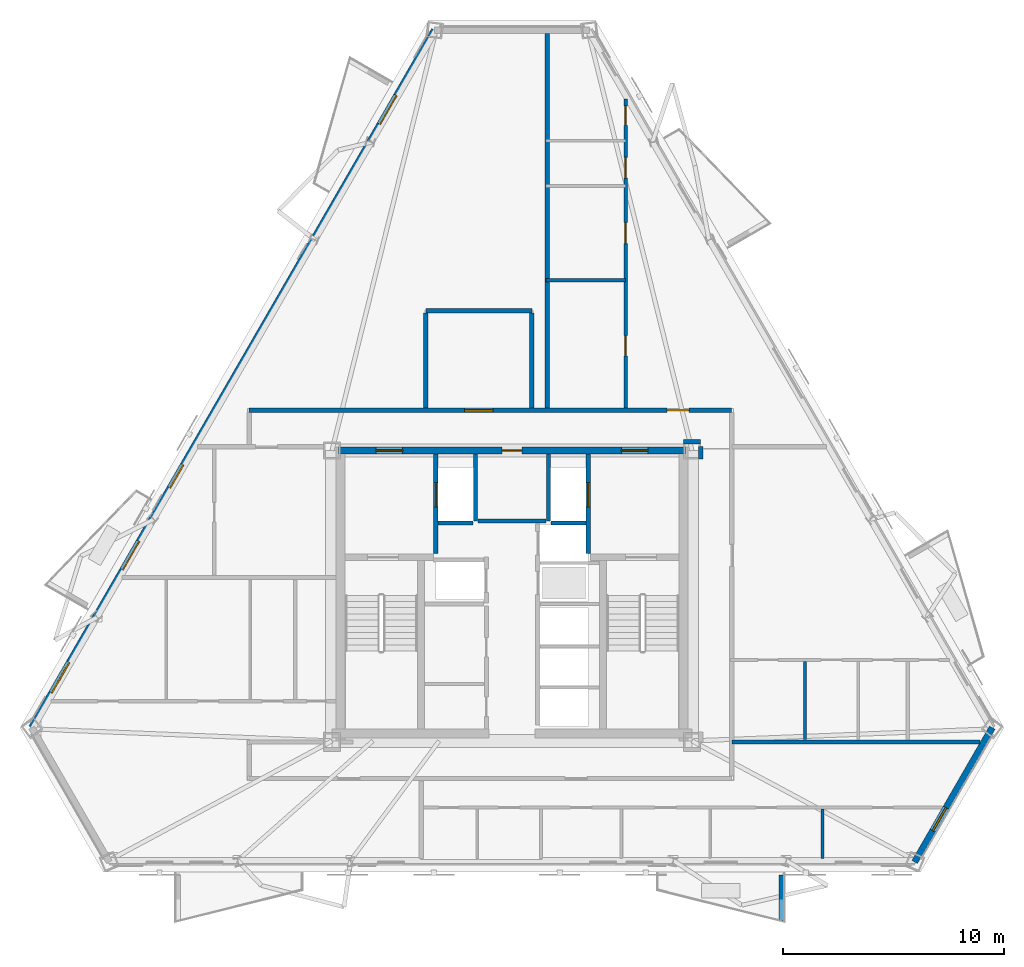
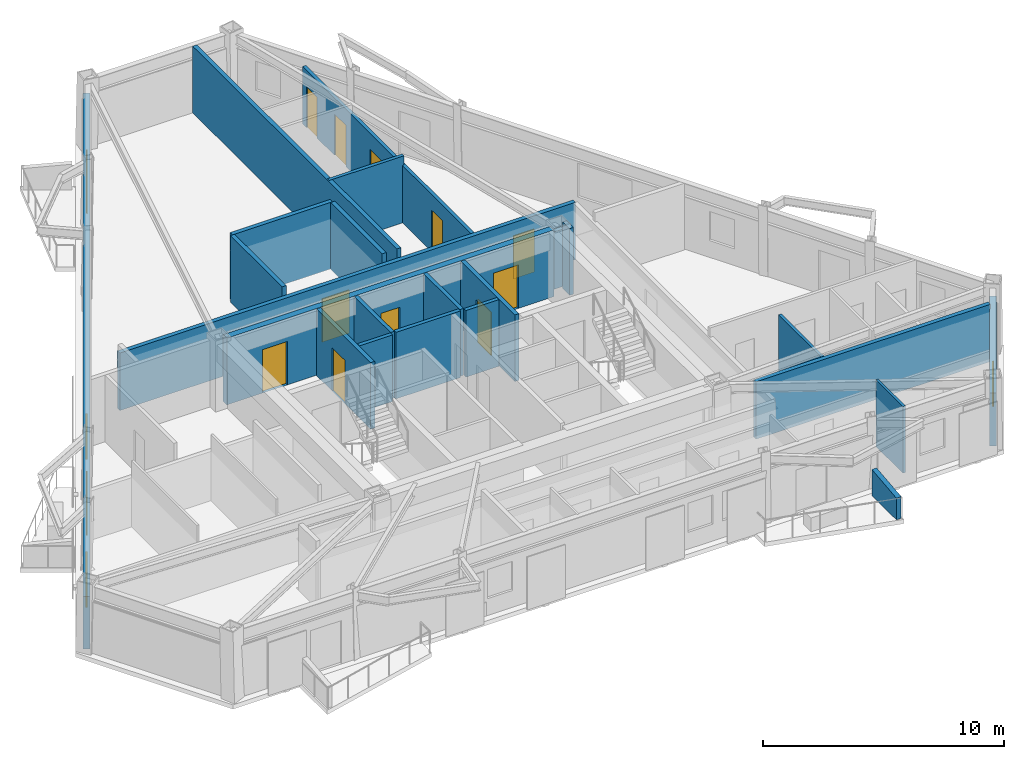
# One storey, part 4 of 10: 23 walls, 13 doors, 3 windows, 16 openings.
"""IFC4 building model written with IfcOpenShell, lengths in metres."""

from ifc_helpers import new_model, si_unit, direction, frame, frame_2d, origin, place, context, subcontext, project, spatial, polyline, rectangle, outline, extrude, material, layer, layer_set, type_object, element, fill, save


model = new_model("IFC4")

# Units and contexts
model_context = context("Model", 3, precision=1e-05, world=origin(), true_north=direction((0.0, 1.0)))
body_context = subcontext(model_context, "Body", "Model", "MODEL_VIEW")
ifc_project = project(units=[si_unit("LENGTHUNIT", "METRE"), si_unit("AREAUNIT", "SQUARE_METRE"), si_unit("VOLUMEUNIT", "CUBIC_METRE"), si_unit("PLANEANGLEUNIT", "RADIAN"), si_unit("MASSUNIT", "GRAM", prefix="KILO")], contexts=[model_context])

# Site, building, storey
site_placement = place(None, origin())
site = spatial("IfcSite", under=ifc_project, at=site_placement, CompositionType="ELEMENT")
building_placement = place(site_placement, origin())
building = spatial("IfcBuilding", under=site, at=building_placement, Name="Oramaril Tower", CompositionType="ELEMENT")
storey_placement = place(building_placement, frame((0.0, 0.0, 209.10009765625)))
storey = spatial("IfcBuildingStorey", under=building, at=storey_placement, Name="L55", CompositionType="ELEMENT", Elevation=209.10009765625)

# Wall, opening, window
ifc_material_1 = material(Name="Warm Cream Limestone", Category="masonry")
ifc_layer_1 = layer(ifc_material_1, 0.2900390625)
ifc_layer_set_1 = layer_set([ifc_layer_1], Name="WT-EXT29")
wall_type_1 = type_object("IfcWallType", Name="WT-EXT29", PredefinedType="SOLIDWALL", material=ifc_layer_set_1)
wall_1_placement = place(storey_placement, frame((55.733154296875, 5.517333984375, 0.0), z_axis=(0.0, 0.0, 1.0), x_axis=(0.500015274395, 0.866016584929, 0.0)))
wall_1 = element("IfcWall", 1, at=wall_1_placement, inside=storey, type_object=wall_type_1, Name="L55 Tower Limestone Facade Wall 3M", PredefinedType="SOLIDWALL", context=body_context, shape_type="SweptSolid", body=[
    extrude(rectangle(XDim=7.024658203125, YDim=0.2900390625, at=frame_2d((3.51220703125, 0.0))), origin(), (0.0, 0.0, 1.0), 2.677001953125),
])
opening_1_placement = place(wall_1_placement, frame((1.635986328125, 0.0, 0.85009765625)))
opening_1 = element("IfcOpeningElement", 2, at=opening_1_placement, cuts=wall_1, Name="Opening WN-09", PredefinedType="OPENING", context=body_context, shape_type="SweptSolid", body=[
    extrude(rectangle(XDim=1.199951171875, YDim=1.47998046875, at=frame_2d((0.60009765625, 0.739990234375))), frame((0.0, 0.14501953125, 0.0), z_axis=(0.0, -1.0, 0.0), x_axis=(1.0, 0.0, 0.0)), (0.0, 0.0, 1.0), 0.2900390625),
])
ifc_material_2 = material(Name="Coastal Low-E Insulated Glass", Category="glass")
window_type_1 = type_object("IfcWindowType", Name="WNT-09", PartitioningType="SINGLE_PANEL", PredefinedType="WINDOW", material=ifc_material_2)
window_1_placement = place(opening_1_placement, origin())
window_1 = element("IfcWindow", 3, at=window_1_placement, inside=storey, type_object=window_type_1, Name="L55 Apartment Bedroom Window WN-09", OverallHeight=1.47998046875, OverallWidth=1.199951171875, PartitioningType="SINGLE_PANEL", PredefinedType="WINDOW", context=body_context, shape_type="SweptSolid", body=[
    extrude(rectangle(XDim=1.199951171875, YDim=1.47998046875, at=frame_2d((0.60009765625, 0.739990234375))), frame((0.0, 0.030029296875, 0.0), z_axis=(0.0, -1.0, 0.0), x_axis=(1.0, 0.0, 0.0)), (0.0, 0.0, 1.0), 0.06005859375),
])
fill(opening_1, window_1)

# Wall, openings, doors, windows
wall_2_placement = place(storey_placement, frame((33.98779296875, 43.181884765625, 0.0), z_axis=(0.0, 0.0, 1.0), x_axis=(-0.50000139879, -0.866024596191, 0.0)))
wall_2 = element("IfcWall", 4, at=wall_2_placement, inside=storey, type_object=wall_type_1, Name="L55 Tower Limestone Facade Wall 6M", PredefinedType="SOLIDWALL", context=body_context, shape_type="SweptSolid", body=[
    extrude(rectangle(XDim=36.466796875, YDim=0.2900390625, at=frame_2d((18.2333984375, 0.0))), origin(), (0.0, 0.0, 1.0), 2.677001953125),
])
opening_2_placement = place(wall_2_placement, frame((3.429443359375, 0.0, 0.0)))
opening_2 = element("IfcOpeningElement", 5, at=opening_2_placement, cuts=wall_2, Name="Opening D-L55-BAL-NW1", PredefinedType="OPENING", context=body_context, shape_type="SweptSolid", body=[
    extrude(rectangle(XDim=1.5, YDim=2.199951171875, at=frame_2d((0.75, 1.10009765625))), frame((0.0, 0.14501953125, 0.0), z_axis=(0.0, -1.0, 0.0), x_axis=(1.0, 0.0, 0.0)), (0.0, 0.0, 1.0), 0.2900390625),
])
opening_3_placement = place(wall_2_placement, frame((26.72216796875, 0.0, 0.0)))
opening_3 = element("IfcOpeningElement", 6, at=opening_3_placement, cuts=wall_2, Name="Opening D-L55-BAL-NW2", PredefinedType="OPENING", context=body_context, shape_type="SweptSolid", body=[
    extrude(rectangle(XDim=1.5, YDim=2.199951171875, at=frame_2d((0.75, 1.10009765625))), frame((0.0, 0.14501953125, 0.0), z_axis=(0.0, -1.0, 0.0), x_axis=(1.0, 0.0, 0.0)), (0.0, 0.0, 1.0), 0.2900390625),
])
opening_4_placement = place(wall_2_placement, frame((33.0556640625, 0.0, 0.85009765625)))
opening_4 = element("IfcOpeningElement", 7, at=opening_4_placement, cuts=wall_2, Name="Opening WN-07", PredefinedType="OPENING", context=body_context, shape_type="SweptSolid", body=[
    extrude(rectangle(XDim=1.60009765625, YDim=1.699951171875, at=frame_2d((0.800048828125, 0.85009765625))), frame((0.0, 0.14501953125, 0.0), z_axis=(0.0, -1.0, 0.0), x_axis=(1.0, 0.0, 0.0)), (0.0, 0.0, 1.0), 0.2900390625),
])
opening_5_placement = place(wall_2_placement, frame((22.736328125, 0.0, 0.85009765625)))
opening_5 = element("IfcOpeningElement", 8, at=opening_5_placement, cuts=wall_2, Name="Opening WN-09", PredefinedType="OPENING", context=body_context, shape_type="SweptSolid", body=[
    extrude(rectangle(XDim=1.199951171875, YDim=1.47998046875, at=frame_2d((0.60009765625, 0.739990234375))), frame((0.0, 0.14501953125, 0.0), z_axis=(0.0, -1.0, 0.0), x_axis=(1.0, 0.0, 0.0)), (0.0, 0.0, 1.0), 0.2900390625),
])
ifc_material_3 = material(Name="Anodised Aluminium 6063-T6", Category="aluminium")
door_type_1 = type_object("IfcDoorType", Name="DT-BAL", OperationType="NOTDEFINED", PredefinedType="DOOR", material=ifc_material_3)
door_1_placement = place(opening_2_placement, origin())
door_1 = element("IfcDoor", 9, at=door_1_placement, inside=storey, type_object=door_type_1, Name="L55 Balcony Glazed Door L55-BAL-NW1", OperationType="SINGLE_SWING_RIGHT", OverallHeight=2.199951171875, OverallWidth=1.5, PredefinedType="DOOR", context=body_context, shape_type="SweptSolid", body=[
    extrude(rectangle(XDim=1.5, YDim=2.199951171875, at=frame_2d((0.75, 1.10009765625))), frame((0.0, 0.02490234375, 0.0), z_axis=(0.0, -1.0, 0.0), x_axis=(1.0, 0.0, 0.0)), (0.0, 0.0, 1.0), 0.050048828125),
])
fill(opening_2, door_1)
door_2_placement = place(opening_3_placement, origin())
door_2 = element("IfcDoor", 10, at=door_2_placement, inside=storey, type_object=door_type_1, Name="L55 Balcony Glazed Door L55-BAL-NW2", OperationType="SINGLE_SWING_LEFT", OverallHeight=2.199951171875, OverallWidth=1.5, PredefinedType="DOOR", context=body_context, shape_type="SweptSolid", body=[
    extrude(rectangle(XDim=1.5, YDim=2.199951171875, at=frame_2d((0.75, 1.10009765625))), frame((0.0, 0.02490234375, 0.0), z_axis=(0.0, -1.0, 0.0), x_axis=(1.0, 0.0, 0.0)), (0.0, 0.0, 1.0), 0.050048828125),
])
fill(opening_3, door_2)
ifc_material_4 = material(Name="Coastal Low-E Insulated Glass", Category="glass")
window_type_2 = type_object("IfcWindowType", Name="WNT-07", PartitioningType="SINGLE_PANEL", PredefinedType="WINDOW", material=ifc_material_4)
window_2_placement = place(opening_4_placement, origin())
window_2 = element("IfcWindow", 11, at=window_2_placement, inside=storey, type_object=window_type_2, Name="L55 Chicago Bay Window WN-07", OverallHeight=1.699951171875, OverallWidth=1.60009765625, PartitioningType="SINGLE_PANEL", PredefinedType="WINDOW", context=body_context, shape_type="SweptSolid", body=[
    extrude(rectangle(XDim=1.60009765625, YDim=1.699951171875, at=frame_2d((0.800048828125, 0.85009765625))), frame((0.0, 0.030029296875, 0.0), z_axis=(0.0, -1.0, 0.0), x_axis=(1.0, 0.0, 0.0)), (0.0, 0.0, 1.0), 0.06005859375),
])
fill(opening_4, window_2)
window_3_placement = place(opening_5_placement, origin())
window_3 = element("IfcWindow", 12, at=window_3_placement, inside=storey, type_object=window_type_1, Name="L55 Chicago Bay Window WN-09", OverallHeight=1.47998046875, OverallWidth=1.199951171875, PartitioningType="SINGLE_PANEL", PredefinedType="WINDOW", context=body_context, shape_type="SweptSolid", body=[
    extrude(rectangle(XDim=1.199951171875, YDim=1.47998046875, at=frame_2d((0.60009765625, 0.739990234375))), frame((0.0, 0.030029296875, 0.0), z_axis=(0.0, -1.0, 0.0), x_axis=(1.0, 0.0, 0.0)), (0.0, 0.0, 1.0), 0.06005859375),
])
fill(opening_5, window_3)

# Walls
ifc_material_5 = material(Name="Concrete C40/50", Category="concrete")
ifc_layer_2 = layer(ifc_material_5, 0.22998046875)
ifc_layer_set_2 = layer_set([ifc_layer_2], Name="WT-PRP23")
wall_type_2 = type_object("IfcWallType", Name="WT-PRP23", PredefinedType="PARAPET", material=ifc_layer_set_2)
wall_3_placement = place(storey_placement, frame((49.69384765625, 4.919189453125, 0.0), z_axis=(0.0, 0.0, 1.0), x_axis=(0.0, -1.0, 0.0)))
element("IfcWall", 13, at=wall_3_placement, inside=storey, type_object=wall_type_2, Name="L55 Trapezoidal Balcony Frame Cheek L55-BAL-S2-R", PredefinedType="PARAPET", context=body_context, shape_type="SweptSolid", body=[
    extrude(outline(polyline([(0.0, 0.0), (2.0419921875, 0.0), (2.0419921875, 1.099853515625), (0.0, 1.31982421875), (0.0, 0.0)])), frame((0.0, 0.114990234375, 0.0), z_axis=(0.0, -1.0, 0.0), x_axis=(1.0, 0.0, 0.0)), (0.0, 0.0, 1.0), 0.22998046875),
])
ifc_material_6 = material(Name="Acoustic Gypsum Board Partition")
ifc_layer_3 = layer(ifc_material_6, 0.1201171875)
ifc_layer_set_3 = layer_set([ifc_layer_3], Name="WT-PT12")
wall_type_3 = type_object("IfcWallType", Name="WT-PT12", PredefinedType="PARTITIONING", material=ifc_layer_set_3)
wall_4_placement = place(storey_placement, frame((51.56005859375, 5.666259765625, 0.0), z_axis=(0.0, 0.0, 1.0), x_axis=(0.0, 1.0, 0.0)))
element("IfcWall", 14, at=wall_4_placement, inside=storey, type_object=wall_type_3, Name="L55 Interior Partition PT-12", PredefinedType="PARTITIONING", context=body_context, shape_type="SweptSolid", body=[
    extrude(rectangle(XDim=2.249755859375, YDim=0.1201171875, at=frame_2d((1.125, 0.0))), origin(), (0.0, 0.0, 1.0), 3.3798828125),
])
ifc_material_7 = material(Name="Acoustic Gypsum Board Partition")
ifc_layer_4 = layer(ifc_material_7, 0.139892578125)
ifc_layer_set_4 = layer_set([ifc_layer_4], Name="WT-PT14")
wall_type_4 = type_object("IfcWallType", Name="WT-PT14", PredefinedType="PARTITIONING", material=ifc_layer_set_4)
wall_5_placement = place(storey_placement, frame((50.760009765625, 11.053955078125, 0.0), z_axis=(0.0, 0.0, 1.0), x_axis=(0.0, 1.0, 0.0)))
element("IfcWall", 15, at=wall_5_placement, inside=storey, type_object=wall_type_4, Name="L55 Interior Partition PT-14", PredefinedType="PARTITIONING", context=body_context, shape_type="SweptSolid", body=[
    extrude(rectangle(XDim=3.5419921875, YDim=0.139892578125, at=frame_2d((1.77099609375, 0.0))), origin(), (0.0, 0.0, 1.0), 2.912841796875),
])
ifc_material_8 = material(Name="Acoustic Gypsum Board Partition")
ifc_layer_5 = layer(ifc_material_8, 0.159912109375)
ifc_layer_set_5 = layer_set([ifc_layer_5], Name="WT-PT16")
wall_type_5 = type_object("IfcWallType", Name="WT-PT16", PredefinedType="PARTITIONING", material=ifc_layer_set_5)
wall_6_placement = place(storey_placement, frame((39.050048828125, 31.85009765625, 0.0), z_axis=(0.0, 0.0, 1.0), x_axis=(1.0, 0.0, 0.0)))
element("IfcWall", 16, at=wall_6_placement, inside=storey, type_object=wall_type_5, Name="L55 Interior Partition PT-16", PredefinedType="PARTITIONING", context=body_context, shape_type="SweptSolid", body=[
    extrude(rectangle(XDim=3.5859375, YDim=0.159912109375, at=frame_2d((1.79296875, 0.0))), origin(), (0.0, 0.0, 1.0), 3.3798828125),
])

# Wall, openings, doors
wall_7_placement = place(storey_placement, frame((42.639892578125, 26.073974609375, 0.0), z_axis=(0.0, 0.0, 1.0), x_axis=(0.0, 1.0, 0.0)))
wall_7 = element("IfcWall", 17, at=wall_7_placement, inside=storey, type_object=wall_type_5, Name="L55 Interior Partition PT-16", PredefinedType="PARTITIONING", context=body_context, shape_type="SweptSolid", body=[
    extrude(rectangle(XDim=13.99072265625, YDim=0.159912109375, at=frame_2d((6.995361328125, 0.0))), origin(), (0.0, 0.0, 1.0), 2.912841796875),
])
opening_6_placement = place(wall_7_placement, frame((2.36083984375, 0.0, 0.0)))
opening_6 = element("IfcOpeningElement", 18, at=opening_6_placement, cuts=wall_7, Name="Opening D-L55-21", PredefinedType="OPENING", context=body_context, shape_type="SweptSolid", body=[
    extrude(rectangle(XDim=0.919921875, YDim=2.1201171875, at=frame_2d((0.4599609375, 1.06005859375))), frame((0.0, 0.080078125, 0.0), z_axis=(0.0, -1.0, 0.0), x_axis=(1.0, 0.0, 0.0)), (0.0, 0.0, 1.0), 0.159912109375),
])
opening_7_placement = place(wall_7_placement, frame((7.440673828125, 0.0, 0.0)))
opening_7 = element("IfcOpeningElement", 19, at=opening_7_placement, cuts=wall_7, Name="Opening D-L55-22", PredefinedType="OPENING", context=body_context, shape_type="SweptSolid", body=[
    extrude(rectangle(XDim=0.949951171875, YDim=2.10009765625, at=frame_2d((0.47509765625, 1.050048828125))), frame((0.0, 0.080078125, 0.0), z_axis=(0.0, -1.0, 0.0), x_axis=(1.0, 0.0, 0.0)), (0.0, 0.0, 1.0), 0.159912109375),
])
opening_8_placement = place(wall_7_placement, frame((10.40283203125, 0.0, 0.0)))
opening_8 = element("IfcOpeningElement", 20, at=opening_8_placement, cuts=wall_7, Name="Opening D-L55-23", PredefinedType="OPENING", context=body_context, shape_type="SweptSolid", body=[
    extrude(rectangle(XDim=0.949951171875, YDim=2.10009765625, at=frame_2d((0.47509765625, 1.050048828125))), frame((0.0, 0.080078125, 0.0), z_axis=(0.0, -1.0, 0.0), x_axis=(1.0, 0.0, 0.0)), (0.0, 0.0, 1.0), 0.159912109375),
])
opening_9_placement = place(wall_7_placement, frame((12.79541015625, 0.0, 0.0)))
opening_9 = element("IfcOpeningElement", 21, at=opening_9_placement, cuts=wall_7, Name="Opening D-L55-24", PredefinedType="OPENING", context=body_context, shape_type="SweptSolid", body=[
    extrude(rectangle(XDim=0.8798828125, YDim=2.080078125, at=frame_2d((0.43994140625, 1.0400390625))), frame((0.0, 0.080078125, 0.0), z_axis=(0.0, -1.0, 0.0), x_axis=(1.0, 0.0, 0.0)), (0.0, 0.0, 1.0), 0.159912109375),
])
ifc_material_9 = material(Name="FSC Brazilian Freijo Hardwood", Category="wood")
door_type_2 = type_object("IfcDoorType", Name="DT-BATH", OperationType="NOTDEFINED", PredefinedType="DOOR", material=ifc_material_9)
door_3_placement = place(opening_9_placement, origin())
door_3 = element("IfcDoor", 22, at=door_3_placement, inside=storey, type_object=door_type_2, Name="L55 Flat L55-U6 Bathroom Door D-L55-24", OperationType="SINGLE_SWING_RIGHT", OverallHeight=2.080078125, OverallWidth=0.8798828125, PredefinedType="DOOR", context=body_context, shape_type="SweptSolid", body=[
    extrude(rectangle(XDim=0.8798828125, YDim=2.080078125, at=frame_2d((0.43994140625, 1.0400390625))), frame((0.0, 0.02490234375, 0.0), z_axis=(0.0, -1.0, 0.0), x_axis=(1.0, 0.0, 0.0)), (0.0, 0.0, 1.0), 0.050048828125),
])
fill(opening_9, door_3)
ifc_material_10 = material(Name="FSC Brazilian Freijo Hardwood", Category="wood")
door_type_3 = type_object("IfcDoorType", Name="DT-BED", OperationType="NOTDEFINED", PredefinedType="DOOR", material=ifc_material_10)
door_4_placement = place(opening_6_placement, origin())
door_4 = element("IfcDoor", 23, at=door_4_placement, inside=storey, type_object=door_type_3, Name="L55 Flat L55-U6 Master Bedroom Door D-L55-21", OperationType="SINGLE_SWING_LEFT", OverallHeight=2.1201171875, OverallWidth=0.919921875, PredefinedType="DOOR", context=body_context, shape_type="SweptSolid", body=[
    extrude(rectangle(XDim=0.919921875, YDim=2.1201171875, at=frame_2d((0.4599609375, 1.06005859375))), frame((0.0, 0.02490234375, 0.0), z_axis=(0.0, -1.0, 0.0), x_axis=(1.0, 0.0, 0.0)), (0.0, 0.0, 1.0), 0.050048828125),
])
fill(opening_6, door_4)
ifc_material_11 = material(Name="FSC Brazilian Freijo Hardwood", Category="wood")
door_type_4 = type_object("IfcDoorType", Name="DT-STDY", OperationType="NOTDEFINED", PredefinedType="DOOR", material=ifc_material_11)
door_5_placement = place(opening_7_placement, origin())
door_5 = element("IfcDoor", 24, at=door_5_placement, inside=storey, type_object=door_type_4, Name="L55 Flat L55-U6 Breakfast Dining Room Door D-L55-22", OperationType="SINGLE_SWING_RIGHT", OverallHeight=2.10009765625, OverallWidth=0.949951171875, PredefinedType="DOOR", context=body_context, shape_type="SweptSolid", body=[
    extrude(rectangle(XDim=0.949951171875, YDim=2.10009765625, at=frame_2d((0.47509765625, 1.050048828125))), frame((0.0, 0.02490234375, 0.0), z_axis=(0.0, -1.0, 0.0), x_axis=(1.0, 0.0, 0.0)), (0.0, 0.0, 1.0), 0.050048828125),
])
fill(opening_7, door_5)
door_6_placement = place(opening_8_placement, origin())
door_6 = element("IfcDoor", 25, at=door_6_placement, inside=storey, type_object=door_type_4, Name="L55 Flat L55-U6 Kitchen Door D-L55-23", OperationType="SINGLE_SWING_LEFT", OverallHeight=2.10009765625, OverallWidth=0.949951171875, PredefinedType="DOOR", context=body_context, shape_type="SweptSolid", body=[
    extrude(rectangle(XDim=0.949951171875, YDim=2.10009765625, at=frame_2d((0.47509765625, 1.050048828125))), frame((0.0, 0.02490234375, 0.0), z_axis=(0.0, -1.0, 0.0), x_axis=(1.0, 0.0, 0.0)), (0.0, 0.0, 1.0), 0.050048828125),
])
fill(opening_8, door_6)

# Walls
ifc_material_12 = material(Name="Autoclaved Cellular Concrete Block", Category="concrete")
ifc_layer_6 = layer(ifc_material_12, 0.179931640625)
ifc_layer_set_6 = layer_set([ifc_layer_6], Name="WT-PT18")
wall_type_6 = type_object("IfcWallType", Name="WT-PT18", PredefinedType="PARTITIONING", material=ifc_layer_set_6)
wall_8_placement = place(storey_placement, frame((35.840087890625, 20.9599609375, 0.0), z_axis=(0.0, 0.0, 1.0), x_axis=(0.0, 1.0, 0.0)))
element("IfcWall", 26, at=wall_8_placement, inside=storey, type_object=wall_type_6, Name="L55 FL-1 East Shaft Wall", PredefinedType="PARTITIONING", context=body_context, shape_type="SweptSolid", body=[
    extrude(rectangle(XDim=3.02001953125, YDim=0.179931640625, at=frame_2d((1.510009765625, 0.0))), origin(), (0.0, 0.0, 1.0), 3.3798828125),
])
wall_9_placement = place(storey_placement, frame((34.159912109375, 20.860107421875, 0.0), z_axis=(0.0, 0.0, 1.0), x_axis=(1.0, 0.0, 0.0)))
element("IfcWall", 27, at=wall_9_placement, inside=storey, type_object=wall_type_6, Name="L55 FL-1 South Shaft Wall", PredefinedType="PARTITIONING", context=body_context, shape_type="SweptSolid", body=[
    extrude(rectangle(XDim=1.580078125, YDim=0.179931640625, at=frame_2d((0.7900390625, 0.0))), origin(), (0.0, 0.0, 1.0), 3.3798828125),
])
wall_10_placement = place(storey_placement, frame((39.159912109375, 20.9599609375, 0.0), z_axis=(0.0, 0.0, 1.0), x_axis=(0.0, 1.0, 0.0)))
element("IfcWall", 28, at=wall_10_placement, inside=storey, type_object=wall_type_6, Name="L55 FL-2 West Shaft Wall", PredefinedType="PARTITIONING", context=body_context, shape_type="SweptSolid", body=[
    extrude(rectangle(XDim=3.02001953125, YDim=0.179931640625, at=frame_2d((1.510009765625, 0.0))), origin(), (0.0, 0.0, 1.0), 3.3798828125),
])
wall_11_placement = place(storey_placement, frame((39.260009765625, 20.860107421875, 0.0), z_axis=(0.0, 0.0, 1.0), x_axis=(1.0, 0.0, 0.0)))
element("IfcWall", 29, at=wall_11_placement, inside=storey, type_object=wall_type_6, Name="L55 FL-2 South Shaft Wall", PredefinedType="PARTITIONING", context=body_context, shape_type="SweptSolid", body=[
    extrude(rectangle(XDim=1.580078125, YDim=0.179931640625, at=frame_2d((0.7900390625, 0.0))), origin(), (0.0, 0.0, 1.0), 3.3798828125),
])
wall_12_placement = place(storey_placement, frame((35.949951171875, 20.949951171875, 0.0), z_axis=(0.0, 0.0, 1.0), x_axis=(1.0, 0.0, 0.0)))
element("IfcWall", 30, at=wall_12_placement, inside=storey, type_object=wall_type_6, Name="L55 Lift Lobby North Partition", PredefinedType="PARTITIONING", context=body_context, shape_type="SweptSolid", body=[
    extrude(rectangle(XDim=3.10009765625, YDim=0.179931640625, at=frame_2d((1.550048828125, 0.0))), origin(), (0.0, 0.0, 1.0), 3.3798828125),
])
ifc_material_13 = material(Name="Autoclaved Cellular Concrete Block", Category="concrete")
ifc_layer_7 = layer(ifc_material_13, 0.199951171875)
ifc_layer_set_7 = layer_set([ifc_layer_7], Name="WT-PT20")
wall_type_7 = type_object("IfcWallType", Name="WT-PT20", PredefinedType="PARTITIONING", material=ifc_layer_set_7)
wall_13_placement = place(storey_placement, frame((47.449951171875, 10.949951171875, 0.0), z_axis=(0.0, 0.0, 1.0), x_axis=(1.0, 0.0, 0.0)))
element("IfcWall", 31, at=wall_13_placement, inside=storey, type_object=wall_type_7, Name="L55 Interior Partition PT-20", PredefinedType="PARTITIONING", context=body_context, shape_type="SweptSolid", body=[
    extrude(rectangle(XDim=11.247802734375, YDim=0.199951171875, at=frame_2d((5.6240234375, 0.0))), origin(), (0.0, 0.0, 1.0), 2.912841796875),
])
wall_14_placement = place(storey_placement, frame((45.2548828125, 24.550048828125, 0.0), z_axis=(0.0, 0.0, 1.0), x_axis=(1.0, 0.0, 0.0)))
element("IfcWall", 32, at=wall_14_placement, inside=storey, type_object=wall_type_7, Name="L55 Interior Partition PT-20", PredefinedType="PARTITIONING", context=body_context, shape_type="SweptSolid", body=[
    extrude(rectangle(XDim=0.7900390625, YDim=0.199951171875, at=frame_2d((0.39501953125, 0.0))), origin(), (0.0, 0.0, 1.0), 2.912841796875),
])

# Wall, openings, doors
wall_15_placement = place(storey_placement, frame((25.60009765625, 25.969970703125, 0.0), z_axis=(0.0, 0.0, 1.0), x_axis=(1.0, 0.0, 0.0)))
wall_15 = element("IfcWall", 33, at=wall_15_placement, inside=storey, type_object=wall_type_7, Name="L55 Interior Partition PT-20", PredefinedType="PARTITIONING", context=body_context, shape_type="SweptSolid", body=[
    extrude(rectangle(XDim=21.849853515625, YDim=0.199951171875, at=frame_2d((10.9248046875, 0.0))), origin(), (0.0, 0.0, 1.0), 2.912841796875),
])
opening_10_placement = place(wall_15_placement, frame((9.75, 0.0, 0.0)))
opening_10 = element("IfcOpeningElement", 34, at=opening_10_placement, cuts=wall_15, Name="Opening D-L55-18", PredefinedType="OPENING", context=body_context, shape_type="SweptSolid", body=[
    extrude(rectangle(XDim=1.300048828125, YDim=2.199951171875, at=frame_2d((0.64990234375, 1.10009765625))), frame((0.0, 0.10009765625, 0.0), z_axis=(0.0, -1.0, 0.0), x_axis=(1.0, 0.0, 0.0)), (0.0, 0.0, 1.0), 0.199951171875),
])
opening_11_placement = place(wall_15_placement, frame((18.922119140625, 0.0, 0.0)))
opening_11 = element("IfcOpeningElement", 35, at=opening_11_placement, cuts=wall_15, Name="Opening D-L55-19", PredefinedType="OPENING", context=body_context, shape_type="SweptSolid", body=[
    extrude(rectangle(XDim=1.0, YDim=2.179931640625, at=frame_2d((0.5, 1.08984375))), frame((0.0, 0.10009765625, 0.0), z_axis=(0.0, -1.0, 0.0), x_axis=(1.0, 0.0, 0.0)), (0.0, 0.0, 1.0), 0.199951171875),
])
ifc_material_14 = material(Name="FSC Brazilian Freijo Hardwood", Category="wood")
door_type_5 = type_object("IfcDoorType", Name="DT-APT", OperationType="NOTDEFINED", PredefinedType="DOOR", material=ifc_material_14)
door_7_placement = place(opening_11_placement, origin())
door_7 = element("IfcDoor", 36, at=door_7_placement, inside=storey, type_object=door_type_5, Name="L55 Flat L55-U6 Penthouse Living and Dining Room Door D-L55-19", OperationType="SINGLE_SWING_LEFT", OverallHeight=2.179931640625, OverallWidth=1.0, PredefinedType="DOOR", context=body_context, shape_type="SweptSolid", body=[
    extrude(rectangle(XDim=1.0, YDim=2.179931640625, at=frame_2d((0.5, 1.08984375))), frame((0.0, 0.02490234375, 0.0), z_axis=(0.0, -1.0, 0.0), x_axis=(1.0, 0.0, 0.0)), (0.0, 0.0, 1.0), 0.050048828125),
])
fill(opening_11, door_7)
ifc_material_15 = material(Name="FSC Brazilian Freijo Hardwood", Category="wood")
door_type_6 = type_object("IfcDoorType", Name="DT-COM", OperationType="NOTDEFINED", PredefinedType="DOOR", material=ifc_material_15)
door_8_placement = place(opening_10_placement, origin())
door_8 = element("IfcDoor", 37, at=door_8_placement, inside=storey, type_object=door_type_6, Name="L55 L55 Residents Reading Library Door D-L55-18", OperationType="SINGLE_SWING_RIGHT", OverallHeight=2.199951171875, OverallWidth=1.300048828125, PredefinedType="DOOR", context=body_context, shape_type="SweptSolid", body=[
    extrude(rectangle(XDim=1.300048828125, YDim=2.199951171875, at=frame_2d((0.64990234375, 1.10009765625))), frame((0.0, 0.02490234375, 0.0), z_axis=(0.0, -1.0, 0.0), x_axis=(1.0, 0.0, 0.0)), (0.0, 0.0, 1.0), 0.050048828125),
])
fill(opening_10, door_8)

# Walls
wall_16_placement = place(storey_placement, frame((33.60009765625, 30.469970703125, 0.0), z_axis=(0.0, 0.0, 1.0), x_axis=(1.0, 0.0, 0.0)))
element("IfcWall", 38, at=wall_16_placement, inside=storey, type_object=wall_type_7, Name="L55 Interior Partition PT-20", PredefinedType="PARTITIONING", context=body_context, shape_type="SweptSolid", body=[
    extrude(rectangle(XDim=4.7998046875, YDim=0.199951171875, at=frame_2d((2.39990234375, 0.0))), origin(), (0.0, 0.0, 1.0), 3.3798828125),
])
for number, where, z_axis, x_axis, name in (
    (39, (33.60009765625, 26.073974609375, 0.0), (0.0, 0.0, 1.0), (0.0, 1.0, 0.0), "L55 Interior Partition PT-20"),
    (40, (38.39990234375, 26.073974609375, 0.0), (0.0, 0.0, 1.0), (0.0, 1.0, 0.0), "L55 Interior Partition PT-20"),
):
    element("IfcWall", number, at=place(storey_placement, frame(where, z_axis=z_axis, x_axis=x_axis)), inside=storey, type_object=wall_type_7, Name=name, PredefinedType="PARTITIONING", context=body_context, shape_type="SweptSolid", body=[
        extrude(rectangle(XDim=4.2919921875, YDim=0.199951171875, at=frame_2d((2.14599609375, 0.0))), origin(), (0.0, 0.0, 1.0), 3.3798828125),
    ])
wall_17_placement = place(storey_placement, frame((39.10009765625, 26.073974609375, 0.0), z_axis=(0.0, 0.0, 1.0), x_axis=(0.0, 1.0, 0.0)))
element("IfcWall", 41, at=wall_17_placement, inside=storey, type_object=wall_type_7, Name="L55 Interior Partition PT-20", PredefinedType="PARTITIONING", context=body_context, shape_type="SweptSolid", body=[
    extrude(rectangle(XDim=16.958740234375, YDim=0.199951171875, at=frame_2d((8.4794921875, 0.0))), origin(), (0.0, 0.0, 1.0), 3.3798828125),
])
wall_18_placement = place(storey_placement, frame((46.050048828125, 23.7548828125, 0.0), z_axis=(0.0, 0.0, 1.0), x_axis=(0.0, 1.0, 0.0)))
element("IfcWall", 42, at=wall_18_placement, inside=storey, type_object=wall_type_7, Name="L55 Interior Partition PT-20", PredefinedType="PARTITIONING", context=body_context, shape_type="SweptSolid", body=[
    extrude(rectangle(XDim=0.565185546875, YDim=0.199951171875, at=frame_2d((0.28271484375, 0.0))), origin(), (0.0, 0.0, 1.0), 3.3798828125),
])

# Wall, openings, doors
ifc_material_16 = material(Name="Concrete C50/60", Category="concrete")
ifc_layer_8 = layer(ifc_material_16, 0.300048828125)
ifc_layer_set_8 = layer_set([ifc_layer_8], Name="WT-SH30")
wall_type_8 = type_object("IfcWallType", Name="WT-SH30", PredefinedType="SHEAR", material=ifc_layer_set_8)
wall_19_placement = place(storey_placement, frame((29.64990234375, 24.14990234375, 0.0), z_axis=(0.0, 0.0, 1.0), x_axis=(1.0, 0.0, 0.0)))
wall_19 = element("IfcWall", 43, at=wall_19_placement, inside=storey, type_object=wall_type_8, Name="L55 Core Shear Wall CW-N", PredefinedType="SHEAR", context=body_context, shape_type="SweptSolid", body=[
    extrude(rectangle(XDim=15.7001953125, YDim=0.300048828125, at=frame_2d((7.85009765625, 0.0))), origin(), (0.0, 0.0, 1.0), 3.3798828125),
])
opening_12_placement = place(wall_19_placement, frame((1.699951171875, 0.0, 0.0)))
opening_12 = element("IfcOpeningElement", 44, at=opening_12_placement, cuts=wall_19, Name="Opening D-L55-FFL1", PredefinedType="OPENING", context=body_context, shape_type="SweptSolid", body=[
    extrude(rectangle(XDim=1.199951171875, YDim=2.199951171875, at=frame_2d((0.60009765625, 1.10009765625))), frame((0.0, 0.14990234375, 0.0), z_axis=(0.0, -1.0, 0.0), x_axis=(1.0, 0.0, 0.0)), (0.0, 0.0, 1.0), 0.300048828125),
])
opening_13_placement = place(wall_19_placement, frame((12.800048828125, 0.0, 0.0)))
opening_13 = element("IfcOpeningElement", 45, at=opening_13_placement, cuts=wall_19, Name="Opening D-L55-FFL2", PredefinedType="OPENING", context=body_context, shape_type="SweptSolid", body=[
    extrude(rectangle(XDim=1.199951171875, YDim=2.199951171875, at=frame_2d((0.60009765625, 1.10009765625))), frame((0.0, 0.14990234375, 0.0), z_axis=(0.0, -1.0, 0.0), x_axis=(1.0, 0.0, 0.0)), (0.0, 0.0, 1.0), 0.300048828125),
])
opening_14_placement = place(wall_19_placement, frame((7.39990234375, 0.0, 0.0)))
opening_14 = element("IfcOpeningElement", 46, at=opening_14_placement, cuts=wall_19, Name="Opening D-L55-SV1", PredefinedType="OPENING", context=body_context, shape_type="SweptSolid", body=[
    extrude(rectangle(XDim=0.89990234375, YDim=2.050048828125, at=frame_2d((0.449951171875, 1.02490234375))), frame((0.0, 0.14990234375, 0.0), z_axis=(0.0, -1.0, 0.0), x_axis=(1.0, 0.0, 0.0)), (0.0, 0.0, 1.0), 0.300048828125),
])
ifc_material_17 = material(Name="Painted Galvanised Steel", Category="steel")
door_type_7 = type_object("IfcDoorType", Name="DT-FFL", OperationType="NOTDEFINED", PredefinedType="DOOR", material=ifc_material_17)
door_9_placement = place(opening_12_placement, origin())
door_9 = element("IfcDoor", 47, at=door_9_placement, inside=storey, type_object=door_type_7, Name="L55 Firefighting Lobby 1 Fire Door", OperationType="SINGLE_SWING_LEFT", OverallHeight=2.199951171875, OverallWidth=1.199951171875, PredefinedType="DOOR", context=body_context, shape_type="SweptSolid", body=[
    extrude(rectangle(XDim=1.199951171875, YDim=2.199951171875, at=frame_2d((0.60009765625, 1.10009765625))), frame((0.0, 0.02490234375, 0.0), z_axis=(0.0, -1.0, 0.0), x_axis=(1.0, 0.0, 0.0)), (0.0, 0.0, 1.0), 0.050048828125),
])
fill(opening_12, door_9)
door_10_placement = place(opening_13_placement, origin())
door_10 = element("IfcDoor", 48, at=door_10_placement, inside=storey, type_object=door_type_7, Name="L55 Firefighting Lobby 2 Fire Door", OperationType="SINGLE_SWING_RIGHT", OverallHeight=2.199951171875, OverallWidth=1.199951171875, PredefinedType="DOOR", context=body_context, shape_type="SweptSolid", body=[
    extrude(rectangle(XDim=1.199951171875, YDim=2.199951171875, at=frame_2d((0.60009765625, 1.10009765625))), frame((0.0, 0.02490234375, 0.0), z_axis=(0.0, -1.0, 0.0), x_axis=(1.0, 0.0, 0.0)), (0.0, 0.0, 1.0), 0.050048828125),
])
fill(opening_13, door_10)
ifc_material_18 = material(Name="Painted Galvanised Steel", Category="steel")
door_type_8 = type_object("IfcDoorType", Name="DT-SVC", OperationType="NOTDEFINED", PredefinedType="DOOR", material=ifc_material_18)
door_11_placement = place(opening_14_placement, origin())
door_11 = element("IfcDoor", 49, at=door_11_placement, inside=storey, type_object=door_type_8, Name="L55 Core Janitor Store Door", OperationType="SINGLE_SWING_LEFT", OverallHeight=2.050048828125, OverallWidth=0.89990234375, PredefinedType="DOOR", context=body_context, shape_type="SweptSolid", body=[
    extrude(rectangle(XDim=0.89990234375, YDim=2.050048828125, at=frame_2d((0.449951171875, 1.02490234375))), frame((0.0, 0.02490234375, 0.0), z_axis=(0.0, -1.0, 0.0), x_axis=(1.0, 0.0, 0.0)), (0.0, 0.0, 1.0), 0.050048828125),
])
fill(opening_14, door_11)

# Wall, opening, door
ifc_material_19 = material(Name="Autoclaved Cellular Concrete Block", Category="concrete")
ifc_layer_9 = layer(ifc_material_19, 0.199951171875)
ifc_layer_set_9 = layer_set([ifc_layer_9], Name="WT-SHF20")
wall_type_9 = type_object("IfcWallType", Name="WT-SHF20", PredefinedType="PARTITIONING", material=ifc_layer_set_9)
wall_20_placement = place(storey_placement, frame((34.0400390625, 19.47998046875, 0.0), z_axis=(0.0, 0.0, 1.0), x_axis=(0.0, 1.0, 0.0)))
wall_20 = element("IfcWall", 50, at=wall_20_placement, inside=storey, type_object=wall_type_9, Name="L55 FL-1 Lobby Shaft Wall", PredefinedType="PARTITIONING", context=body_context, shape_type="SweptSolid", body=[
    extrude(rectangle(XDim=4.5, YDim=0.199951171875, at=frame_2d((2.25, 0.0))), origin(), (0.0, 0.0, 1.0), 3.3798828125),
])
opening_15_placement = place(wall_20_placement, frame((2.1201171875, 0.0, 0.0)))
opening_15 = element("IfcOpeningElement", 51, at=opening_15_placement, cuts=wall_20, Name="Opening LD-L55-FL-1", PredefinedType="OPENING", context=body_context, shape_type="SweptSolid", body=[
    extrude(rectangle(XDim=1.10009765625, YDim=2.199951171875, at=frame_2d((0.550048828125, 1.10009765625))), frame((0.0, 0.10009765625, 0.0), z_axis=(0.0, -1.0, 0.0), x_axis=(1.0, 0.0, 0.0)), (0.0, 0.0, 1.0), 0.199951171875),
])
ifc_material_20 = material(Name="Stainless Steel 316L", Category="steel")
door_type_9 = type_object("IfcDoorType", Name="DT-LD1", OperationType="NOTDEFINED", PredefinedType="DOOR", material=ifc_material_20)
door_12_placement = place(opening_15_placement, origin())
door_12 = element("IfcDoor", 52, at=door_12_placement, inside=storey, type_object=door_type_9, Name="L55 Lift FL-1 Sliding Landing Door", OperationType="SLIDING_TO_LEFT", OverallHeight=2.199951171875, OverallWidth=1.10009765625, PredefinedType="DOOR", context=body_context, shape_type="SweptSolid", body=[
    extrude(rectangle(XDim=1.10009765625, YDim=2.199951171875, at=frame_2d((0.550048828125, 1.10009765625))), frame((0.0, 0.02490234375, 0.0), z_axis=(0.0, -1.0, 0.0), x_axis=(1.0, 0.0, 0.0)), (0.0, 0.0, 1.0), 0.050048828125),
])
fill(opening_15, door_12)

wall_21_placement = place(storey_placement, frame((40.9599609375, 19.47998046875, 0.0), z_axis=(0.0, 0.0, 1.0), x_axis=(0.0, 1.0, 0.0)))
wall_21 = element("IfcWall", 53, at=wall_21_placement, inside=storey, type_object=wall_type_9, Name="L55 FL-2 Lobby Shaft Wall", PredefinedType="PARTITIONING", context=body_context, shape_type="SweptSolid", body=[
    extrude(rectangle(XDim=4.5, YDim=0.199951171875, at=frame_2d((2.25, 0.0))), origin(), (0.0, 0.0, 1.0), 3.3798828125),
])
opening_16_placement = place(wall_21_placement, frame((2.1201171875, 0.0, 0.0)))
opening_16 = element("IfcOpeningElement", 54, at=opening_16_placement, cuts=wall_21, Name="Opening LD-L55-FL-2", PredefinedType="OPENING", context=body_context, shape_type="SweptSolid", body=[
    extrude(rectangle(XDim=1.10009765625, YDim=2.199951171875, at=frame_2d((0.550048828125, 1.10009765625))), frame((0.0, 0.10009765625, 0.0), z_axis=(0.0, -1.0, 0.0), x_axis=(1.0, 0.0, 0.0)), (0.0, 0.0, 1.0), 0.199951171875),
])
door_13_placement = place(opening_16_placement, origin())
door_13 = element("IfcDoor", 55, at=door_13_placement, inside=storey, type_object=door_type_9, Name="L55 Lift FL-2 Sliding Landing Door", OperationType="SLIDING_TO_RIGHT", OverallHeight=2.199951171875, OverallWidth=1.10009765625, PredefinedType="DOOR", context=body_context, shape_type="SweptSolid", body=[
    extrude(rectangle(XDim=1.10009765625, YDim=2.199951171875, at=frame_2d((0.550048828125, 1.10009765625))), frame((0.0, 0.02490234375, 0.0), z_axis=(0.0, -1.0, 0.0), x_axis=(1.0, 0.0, 0.0)), (0.0, 0.0, 1.0), 0.050048828125),
])
fill(opening_16, door_13)

save(model, "model.ifc")
